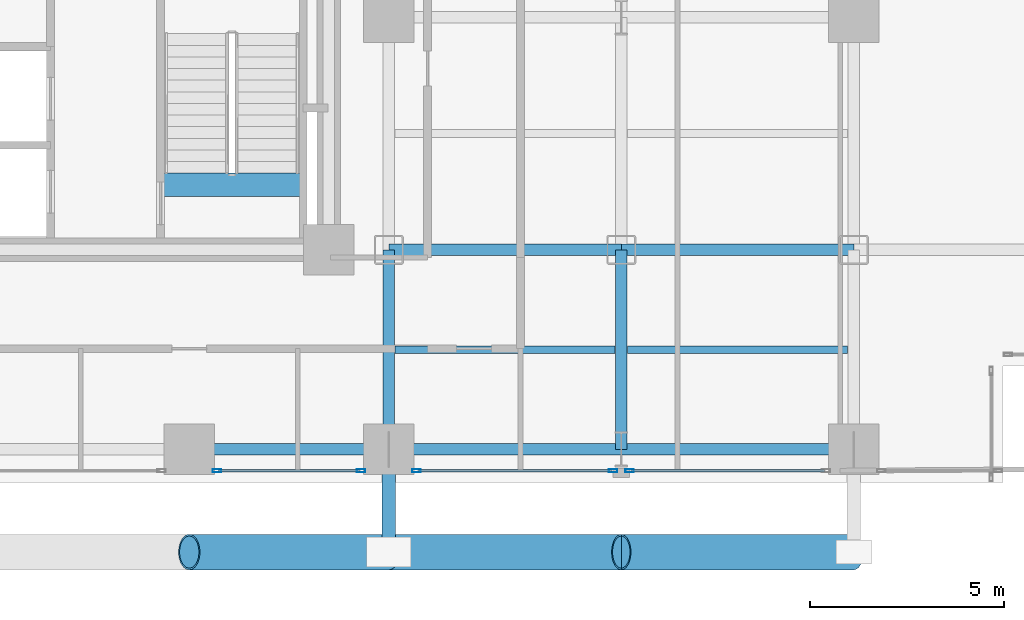
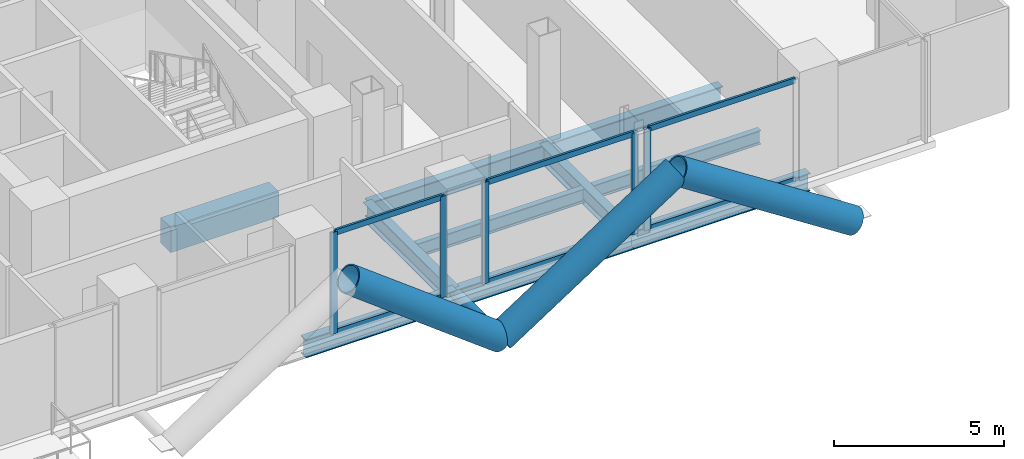
# One storey, part 8 of 25: 15 members, 10 beams, 3 elements without a shape of their own.
"""IFC4 building model written with IfcOpenShell, lengths in metres."""

import ifcopenshell
import ifcopenshell.guid

model = None  # the IFC model being written
_history = None  # IfcOwnerHistory: only IFC2X3 demands one
_inside = {}  # id of a spatial element -> (the spatial element, [elements in it])
_under = {}  # id of a project, library or spatial element -> (it, [spatial elements below it])
_declared = {}  # id of a project -> (the project, [libraries it declares])
_typed = {}  # id of a type object -> (the type object, [elements of that type])
_made_of = {}  # id of a material, layer set ... -> (it, [elements and type objects made of it])


def new_model(schema):
    """Start an empty IFC model of exactly this schema.

    Asked for "IFC4X3", IfcOpenShell would pick the latest addendum, in which some entities
    have other attributes; the version numbers below select the first issue.
    IFC2X3 requires an IfcOwnerHistory on every rooted entity: one is made here for all.
    """
    global model, _history
    if schema == "IFC4X3":
        model = ifcopenshell.file(schema_version=(4, 3, 0, 0))
    else:
        model = ifcopenshell.file(schema=schema)
    _inside.clear()
    _under.clear()
    _declared.clear()
    _typed.clear()
    _made_of.clear()
    _history = None
    if model.schema == "IFC2X3":
        org = make("IfcOrganization", Name="unknown")
        user = make(
            "IfcPersonAndOrganization",
            ThePerson=make("IfcPerson", FamilyName="unknown"),
            TheOrganization=org,
        )
        app = make(
            "IfcApplication",
            ApplicationDeveloper=org,
            Version="unknown",
            ApplicationFullName="unknown",
            ApplicationIdentifier="unknown",
        )
        _history = make(
            "IfcOwnerHistory",
            OwningUser=user,
            OwningApplication=app,
            ChangeAction="ADDED",
            CreationDate=0,
        )
    return model


def make(cls, **values):
    """One entity of the class cls with the attributes given. An attribute that is None is left unset."""
    return model.create_entity(
        cls, **{name: value for name, value in values.items() if value is not None}
    )


def rooted(cls, **values):
    """An entity with a GlobalId (a new one), such as an element, a storey or a relation."""
    return make(cls, GlobalId=ifcopenshell.guid.new(), OwnerHistory=_history, **values)


def si_unit(unit_type, name, prefix=None):
    """IfcSIUnit, for example si_unit("LENGTHUNIT", "METRE", prefix="MILLI")."""
    return make("IfcSIUnit", UnitType=unit_type, Prefix=prefix, Name=name)


def assignment(units):
    """IfcUnitAssignment: the units of a project."""
    return None if units is None else make("IfcUnitAssignment", Units=units)


def point(xyz):
    """IfcCartesianPoint."""
    return None if xyz is None else make("IfcCartesianPoint", Coordinates=xyz)


def direction(xyz):
    """IfcDirection."""
    return None if xyz is None else make("IfcDirection", DirectionRatios=xyz)


def frame(location, z_axis=None, x_axis=None):
    """IfcAxis2Placement3D, a coordinate frame: its origin and axes. An axis left out is left unset."""
    return make(
        "IfcAxis2Placement3D",
        Location=point(location),
        Axis=direction(z_axis),
        RefDirection=direction(x_axis),
    )


def frame_2d(location, x_axis=None):
    """IfcAxis2Placement2D, a coordinate frame in the plane: its origin and x axis."""
    return make(
        "IfcAxis2Placement2D", Location=point(location), RefDirection=direction(x_axis)
    )


def origin():
    """The frame at (0, 0, 0) with its axes left unset."""
    return frame((0.0, 0.0, 0.0))


def origin_2d():
    """The frame at (0, 0) in the plane with its x axis left unset."""
    return frame_2d((0.0, 0.0))


def place(relative_to, where):
    """IfcLocalPlacement: puts the frame where relative to a parent placement (None: the world)."""
    return make(
        "IfcLocalPlacement", PlacementRelTo=relative_to, RelativePlacement=where
    )


def context(
    kind, dimensions, precision=None, world=None, true_north=None, identifier=None
):
    """IfcGeometricRepresentationContext, for example the 3D "Model" context."""
    return make(
        "IfcGeometricRepresentationContext",
        ContextIdentifier=identifier,
        ContextType=kind,
        CoordinateSpaceDimension=dimensions,
        Precision=precision,
        WorldCoordinateSystem=world,
        TrueNorth=true_north,
    )


def subcontext(parent, identifier, kind, view, scale=None):
    """IfcGeometricRepresentationSubContext, for example "Body" below "Model"."""
    return make(
        "IfcGeometricRepresentationSubContext",
        ContextIdentifier=identifier,
        ContextType=kind,
        ParentContext=parent,
        TargetScale=scale,
        TargetView=view,
    )


def project(units=None, contexts=None):
    """IfcProject with its units and contexts."""
    return rooted(
        "IfcProject",
        Name="project",
        RepresentationContexts=contexts,
        UnitsInContext=assignment(units),
    )


def spatial(cls, under=None, at=None, **own):
    """A site, building, storey or space (cls), placed at a placement, below another one or the project."""
    s = rooted(cls, ObjectPlacement=at, **own)
    if under is not None:
        _under.setdefault(under.id(), (under, []))[1].append(s)
    return s


def profile(cls, at=None, kind="AREA", **sizes):
    """A parametric profile (cls). Its sizes go by their IFC names, for example OverallWidth=200.0."""
    return make(cls, ProfileType=kind, Position=at, **sizes)


def rectangle(**sizes):
    """IfcRectangleProfileDef."""
    return profile("IfcRectangleProfileDef", **sizes)


def hollow_rectangle(**sizes):
    """IfcRectangleHollowProfileDef."""
    return profile("IfcRectangleHollowProfileDef", **sizes)


def hollow_circle(**sizes):
    """IfcCircleHollowProfileDef."""
    return profile("IfcCircleHollowProfileDef", **sizes)


def i_section(**sizes):
    """IfcIShapeProfileDef."""
    return profile("IfcIShapeProfileDef", **sizes)


def extrude(swept, where, along, depth):
    """IfcExtrudedAreaSolid: the profile swept, set in the frame where, extruded along a direction by depth."""
    return make(
        "IfcExtrudedAreaSolid",
        SweptArea=swept,
        Position=where,
        ExtrudedDirection=direction(along),
        Depth=depth,
    )


def shape(context_of_items, identifier, shape_type, items):
    """IfcShapeRepresentation: the items that make up one representation, for example the "Body"."""
    return make(
        "IfcShapeRepresentation",
        ContextOfItems=context_of_items,
        RepresentationIdentifier=identifier,
        RepresentationType=shape_type,
        Items=items,
    )


def material(Name=None, Category=None):
    """IfcMaterial."""
    return make("IfcMaterial", Name=Name, Category=Category)


def layer(
    of_material, thickness, ventilated=None, Name=None, Category=None, Priority=None
):
    """IfcMaterialLayer: one layer of a wall or slab, of a material (None: an air gap)."""
    return make(
        "IfcMaterialLayer",
        Material=of_material,
        LayerThickness=thickness,
        IsVentilated=ventilated,
        Name=Name,
        Category=Category,
        Priority=Priority,
    )


def layer_set(layers, Name=None):
    """IfcMaterialLayerSet."""
    return make("IfcMaterialLayerSet", MaterialLayers=layers, LayerSetName=Name)


def material_profile(
    of_material, cross_section, Name=None, Category=None, Priority=None
):
    """IfcMaterialProfile: a cross section and its material."""
    return make(
        "IfcMaterialProfile",
        Name=Name,
        Material=of_material,
        Profile=cross_section,
        Priority=Priority,
        Category=Category,
    )


def profile_set(profiles, Name=None, composite=None):
    """IfcMaterialProfileSet."""
    return make(
        "IfcMaterialProfileSet",
        Name=Name,
        MaterialProfiles=profiles,
        CompositeProfile=composite,
    )


def made_of(thing, what):
    """Note that an element or type object is made of a material, layer set ...; save() writes the relation."""
    if what is not None:
        _made_of.setdefault(what.id(), (what, []))[1].append(thing)
    return thing


def type_object(cls, material=None, **own):
    """A type object (cls), such as IfcWallType, which elements share."""
    return made_of(rooted(cls, **own), material)


def element(
    cls,
    number,
    at=None,
    inside=None,
    cuts=None,
    type_object=None,
    material=None,
    context=None,
    identifier="Body",
    shape_type=None,
    held_by="IfcProductDefinitionShape",
    body=None,
    shapes=None,
    **own,
):
    """One element of the class cls, such as IfcWall. Its Tag is "e" and its number.

    at: its placement. inside: the storey or other place that contains it. cuts: it is an
    opening in that element (IfcRelVoidsElement). A single representation is given by context,
    identifier, shape_type and body (its items); several are given by shapes. held_by: the class
    of the entity that holds the representations. save() writes the other relations.
    """
    e = rooted(cls, Tag="e%d" % number, ObjectPlacement=at, **own)
    if body is not None:
        shapes = [shape(context, identifier, shape_type, body)]
    if shapes is not None:
        e.Representation = make(held_by, Representations=shapes)
    if inside is not None:
        _inside.setdefault(inside.id(), (inside, []))[1].append(e)
    if cuts is not None:
        rooted(
            "IfcRelVoidsElement", RelatingBuildingElement=cuts, RelatedOpeningElement=e
        )
    if type_object is not None:
        _typed.setdefault(type_object.id(), (type_object, []))[1].append(e)
    return made_of(e, material)


def aggregate(whole, parts):
    """IfcRelAggregates: a whole, such as a stair, and the parts it consists of."""
    return rooted("IfcRelAggregates", RelatingObject=whole, RelatedObjects=parts)


def save(model, path):
    """Write the relations noted so far, then the file.

    IfcRelAggregates (storeys below a building ...), IfcRelContainedInSpatialStructure (elements
    in a storey), IfcRelDefinesByType, IfcRelAssociatesMaterial and IfcRelDeclares: one each for
    every whole, place, type object, material and project.
    """
    for whole, parts in _under.values():
        aggregate(whole, parts)
    for where, things in _inside.values():
        rooted(
            "IfcRelContainedInSpatialStructure",
            RelatedElements=things,
            RelatingStructure=where,
        )
    for kind, things in _typed.values():
        rooted("IfcRelDefinesByType", RelatedObjects=things, RelatingType=kind)
    for what, things in _made_of.values():
        rooted("IfcRelAssociatesMaterial", RelatedObjects=things, RelatingMaterial=what)
    for by, libraries in _declared.values():
        rooted("IfcRelDeclares", RelatingContext=by, RelatedDefinitions=libraries)
    model.write(path)


model = new_model("IFC4")

# Units and contexts
model_context = context("Model", 3, precision=1e-05, world=origin(), true_north=direction((0.0, 1.0)))
body_context = subcontext(model_context, "Body", "Model", "MODEL_VIEW")
ifc_project = project(units=[si_unit("LENGTHUNIT", "METRE"), si_unit("AREAUNIT", "SQUARE_METRE"), si_unit("VOLUMEUNIT", "CUBIC_METRE"), si_unit("PLANEANGLEUNIT", "RADIAN"), si_unit("MASSUNIT", "GRAM", prefix="KILO"), si_unit("THERMODYNAMICTEMPERATUREUNIT", "KELVIN"), si_unit("POWERUNIT", "WATT")], contexts=[model_context])

# Site, building, storey
site_placement = place(None, origin())
site = spatial("IfcSite", under=ifc_project, at=site_placement, CompositionType="ELEMENT")
building_placement = place(site_placement, origin())
building = spatial("IfcBuilding", under=site, at=building_placement, Name="Svarakhadi Broadcast Tower", CompositionType="ELEMENT")
storey_placement = place(building_placement, frame((0.0, 0.0, 51.89990234375)))
storey = spatial("IfcBuildingStorey", under=building, at=storey_placement, Name="L11", CompositionType="ELEMENT", Elevation=51.89990234375)

# Beams
ifc_material_1 = material(Name="Steel S355J2 (IS 2062 E350C)", Category="steel")
ifc_material_profile_1 = material_profile(ifc_material_1, i_section(OverallWidth=0.199951171875, OverallDepth=0.5, WebThickness=0.01025390625, FlangeThickness=0.01611328125, FilletRadius=0.02099609375, at=origin_2d()), Name="NPB 500x200x91")
ifc_profile_set_1 = profile_set([ifc_material_profile_1], Name="Steel S355J2 (IS 2062 E350C)")
beam_type_1 = type_object("IfcBeamType", Name="Beam_NPB500", PredefinedType="BEAM", material=ifc_profile_set_1)
for number, where, z_axis, x_axis, name in (
    (1, (35.31005859375, 3.425048828125, -0.5), (1.0, 0.0, 0.0), (0.0, 1.0, 0.0), "L11 Secondary Composite Beam SB022"),
    (2, (41.31005859375, 3.425048828125, -0.5), (1.0, 0.0, 0.0), (0.0, 1.0, 0.0), "L11 Secondary Composite Beam SB025"),
):
    element("IfcBeam", number, at=place(storey_placement, frame(where, z_axis=z_axis, x_axis=x_axis)), inside=storey, type_object=beam_type_1, Name=name, PredefinedType="BEAM", context=body_context, shape_type="SweptSolid", body=[
        extrude(i_section(OverallWidth=0.199951171875, OverallDepth=0.5, WebThickness=0.01025390625, FlangeThickness=0.01611328125, FilletRadius=0.02099609375, at=origin_2d()), origin(), (0.0, 0.0, 1.0), 5.679931640625),
    ])

# Curtain wall, member
ifc_material_2 = material(Name="Anodised Bronze Aluminium AA 6063-T6", Category="aluminium")
ifc_layer = layer(ifc_material_2, 0.219970703125)
ifc_layer_set = layer_set([ifc_layer], Name="Anodised Bronze Aluminium AA 6063-T6")
curtain_wall_type = type_object("IfcCurtainWallType", Name="CW_Sys_02", PredefinedType="NOTDEFINED", material=ifc_layer_set)
curtain_wall_1_placement = place(storey_placement, origin())
curtain_wall_1 = element("IfcCurtainWall", 3, at=curtain_wall_1_placement, inside=storey, type_object=curtain_wall_type, Name="L11 South Curtain Wall 16 Bay 2", PredefinedType="NOTDEFINED")
ifc_material_profile_2 = material_profile(ifc_material_2, hollow_rectangle(XDim=0.0849609375, YDim=0.219970703125, WallThickness=0.006103515625, at=origin_2d()), Name="ALU MULLION 220x85x6")
ifc_profile_set_2 = profile_set([ifc_material_profile_2], Name="Anodised Bronze Aluminium AA 6063-T6")
member_type_1 = type_object("IfcMemberType", Name="CW_Sys_02_Mul", PredefinedType="MULLION", material=ifc_profile_set_2)
member_1_placement = place(storey_placement, frame((41.362548828125, 0.300048828125, 0.0), z_axis=(0.0, 0.0, 1.0), x_axis=(0.0, -1.0, 0.0)))
member_1 = element("IfcMember", 4, at=member_1_placement, type_object=member_type_1, Name="CW-02 mullion 2", PredefinedType="MULLION", context=body_context, shape_type="SweptSolid", body=[
    extrude(hollow_rectangle(XDim=0.0849609375, YDim=0.219970703125, WallThickness=0.006103515625, at=origin_2d()), origin(), (0.0, 0.0, 1.0), 3.650146484375),
])

# Curtain wall, members
curtain_wall_2_placement = place(storey_placement, origin())
curtain_wall_2 = element("IfcCurtainWall", 5, at=curtain_wall_2_placement, inside=storey, type_object=curtain_wall_type, Name="L11 South Curtain Wall 16 Bay 3", PredefinedType="NOTDEFINED")
member_2_placement = place(storey_placement, frame((40.9375, 0.300048828125, 0.0), z_axis=(0.0, 0.0, 1.0), x_axis=(0.0, -1.0, 0.0)))
member_2 = element("IfcMember", 6, at=member_2_placement, type_object=member_type_1, Name="CW-02 mullion 1", PredefinedType="MULLION", context=body_context, shape_type="SweptSolid", body=[
    extrude(hollow_rectangle(XDim=0.0849609375, YDim=0.219970703125, WallThickness=0.006103515625, at=origin_2d()), origin(), (0.0, 0.0, 1.0), 3.650146484375),
])
member_3_placement = place(storey_placement, frame((35.862548828125, 0.300048828125, 0.0), z_axis=(0.0, 0.0, 1.0), x_axis=(0.0, -1.0, 0.0)))
member_3 = element("IfcMember", 7, at=member_3_placement, type_object=member_type_1, Name="CW-02 mullion 2", PredefinedType="MULLION", context=body_context, shape_type="SweptSolid", body=[
    extrude(hollow_rectangle(XDim=0.0849609375, YDim=0.219970703125, WallThickness=0.006103515625, at=origin_2d()), origin(), (0.0, 0.0, 1.0), 3.650146484375),
])

curtain_wall_3_placement = place(storey_placement, origin())
curtain_wall_3 = element("IfcCurtainWall", 8, at=curtain_wall_3_placement, inside=storey, type_object=curtain_wall_type, Name="L11 South Curtain Wall 16 Bay 4", PredefinedType="NOTDEFINED")
member_4_placement = place(storey_placement, frame((34.4375, 0.300048828125, 0.0), z_axis=(0.0, 0.0, 1.0), x_axis=(0.0, -1.0, 0.0)))
member_4 = element("IfcMember", 9, at=member_4_placement, type_object=member_type_1, Name="CW-02 mullion 1", PredefinedType="MULLION", context=body_context, shape_type="SweptSolid", body=[
    extrude(hollow_rectangle(XDim=0.0849609375, YDim=0.219970703125, WallThickness=0.006103515625, at=origin_2d()), origin(), (0.0, 0.0, 1.0), 3.650146484375),
])
member_5_placement = place(storey_placement, frame((30.71240234375, 0.300048828125, 0.0), z_axis=(0.0, 0.0, 1.0), x_axis=(0.0, -1.0, 0.0)))
member_5 = element("IfcMember", 10, at=member_5_placement, type_object=member_type_1, Name="CW-02 mullion 2", PredefinedType="MULLION", context=body_context, shape_type="SweptSolid", body=[
    extrude(hollow_rectangle(XDim=0.0849609375, YDim=0.219970703125, WallThickness=0.006103515625, at=origin_2d()), origin(), (0.0, 0.0, 1.0), 3.650146484375),
])

# Member
ifc_material_profile_3 = material_profile(ifc_material_2, hollow_rectangle(XDim=0.074951171875, YDim=0.199951171875, WallThickness=0.0048828125, at=origin_2d()), Name="ALU TRANSOM 200x75x5")
ifc_profile_set_3 = profile_set([ifc_material_profile_3], Name="Anodised Bronze Aluminium AA 6063-T6")
member_type_2 = type_object("IfcMemberType", Name="CW_Sys_02_Trn", PredefinedType="USERDEFINED", material=ifc_profile_set_3)
member_6_placement = place(storey_placement, frame((46.39501953125, 0.300048828125, 0.03759765625), z_axis=(-1.0, 0.0, 0.0), x_axis=(0.0, -1.0, 0.0)))
member_6 = element("IfcMember", 11, at=member_6_placement, type_object=member_type_2, Name="CW-02 transom 1.1", ObjectType="TRANSOM", PredefinedType="USERDEFINED", context=body_context, shape_type="SweptSolid", body=[
    extrude(hollow_rectangle(XDim=0.074951171875, YDim=0.199951171875, WallThickness=0.0048828125, at=origin_2d()), origin(), (0.0, 0.0, 1.0), 4.989990234375),
])

member_7_placement = place(storey_placement, frame((46.39501953125, 0.300048828125, 3.612548828125), z_axis=(-1.0, 0.0, 0.0), x_axis=(0.0, -1.0, 0.0)))
member_7 = element("IfcMember", 12, at=member_7_placement, type_object=member_type_2, Name="CW-02 transom 1.2", ObjectType="TRANSOM", PredefinedType="USERDEFINED", context=body_context, shape_type="SweptSolid", body=[
    extrude(hollow_rectangle(XDim=0.074951171875, YDim=0.199951171875, WallThickness=0.0048828125, at=origin_2d()), origin(), (0.0, 0.0, 1.0), 4.989990234375),
])

aggregate(curtain_wall_1, [member_1, member_6, member_7])

member_8_placement = place(storey_placement, frame((40.89501953125, 0.300048828125, 0.03759765625), z_axis=(-1.0, 0.0, 0.0), x_axis=(0.0, -1.0, 0.0)))
member_8 = element("IfcMember", 13, at=member_8_placement, type_object=member_type_2, Name="CW-02 transom 1.1", ObjectType="TRANSOM", PredefinedType="USERDEFINED", context=body_context, shape_type="SweptSolid", body=[
    extrude(hollow_rectangle(XDim=0.074951171875, YDim=0.199951171875, WallThickness=0.0048828125, at=origin_2d()), origin(), (0.0, 0.0, 1.0), 4.989990234375),
])

member_9_placement = place(storey_placement, frame((40.89501953125, 0.300048828125, 3.612548828125), z_axis=(-1.0, 0.0, 0.0), x_axis=(0.0, -1.0, 0.0)))
member_9 = element("IfcMember", 14, at=member_9_placement, type_object=member_type_2, Name="CW-02 transom 1.2", ObjectType="TRANSOM", PredefinedType="USERDEFINED", context=body_context, shape_type="SweptSolid", body=[
    extrude(hollow_rectangle(XDim=0.074951171875, YDim=0.199951171875, WallThickness=0.0048828125, at=origin_2d()), origin(), (0.0, 0.0, 1.0), 4.989990234375),
])

aggregate(curtain_wall_2, [member_2, member_3, member_8, member_9])

member_10_placement = place(storey_placement, frame((34.39501953125, 0.300048828125, 0.03759765625), z_axis=(-1.0, 0.0, 0.0), x_axis=(0.0, -1.0, 0.0)))
member_10 = element("IfcMember", 15, at=member_10_placement, type_object=member_type_2, Name="CW-02 transom 1.1", ObjectType="TRANSOM", PredefinedType="USERDEFINED", context=body_context, shape_type="SweptSolid", body=[
    extrude(hollow_rectangle(XDim=0.074951171875, YDim=0.199951171875, WallThickness=0.0048828125, at=origin_2d()), origin(), (0.0, 0.0, 1.0), 3.64013671875),
])

member_11_placement = place(storey_placement, frame((34.39501953125, 0.300048828125, 3.612548828125), z_axis=(-1.0, 0.0, 0.0), x_axis=(0.0, -1.0, 0.0)))
member_11 = element("IfcMember", 16, at=member_11_placement, type_object=member_type_2, Name="CW-02 transom 1.2", ObjectType="TRANSOM", PredefinedType="USERDEFINED", context=body_context, shape_type="SweptSolid", body=[
    extrude(hollow_rectangle(XDim=0.074951171875, YDim=0.199951171875, WallThickness=0.0048828125, at=origin_2d()), origin(), (0.0, 0.0, 1.0), 3.64013671875),
])

aggregate(curtain_wall_3, [member_4, member_5, member_10, member_11])

# Beam
ifc_material_3 = material(Name="Concrete C50/60 (IS 456 M60)", Category="concrete")
ifc_material_profile_4 = material_profile(ifc_material_3, rectangle(XDim=0.60009765625, YDim=0.89990234375, at=origin_2d()), Name="RC 600x900")
ifc_profile_set_4 = profile_set([ifc_material_profile_4], Name="Concrete C50/60 (IS 456 M60)")
beam_type_2 = type_object("IfcBeamType", Name="Coupling_RC600", PredefinedType="USERDEFINED", material=ifc_profile_set_4)
beam_1_placement = place(storey_placement, frame((29.260009765625, 7.679931640625, -0.449951171875), z_axis=(1.0, 0.0, 0.0), x_axis=(0.0, 1.0, 0.0)))
element("IfcBeam", 17, at=beam_1_placement, inside=storey, type_object=beam_type_2, Name="L11 Stair ST-02 Landing Throat Trimmer Beam CB-01", ObjectType="GIRDER", PredefinedType="USERDEFINED", context=body_context, shape_type="SweptSolid", body=[
    extrude(rectangle(XDim=0.60009765625, YDim=0.89990234375, at=origin_2d()), origin(), (0.0, 0.0, 1.0), 3.679931640625),
])

# Members
ifc_material_4 = material(Name="Steel S460ML (IS 2062 E450BR)", Category="steel")
ifc_material_profile_5 = material_profile(ifc_material_4, hollow_circle(Radius=0.45703125, WallThickness=0.044921875, at=origin_2d()), Name="CHS 914x45")
ifc_profile_set_5 = profile_set([ifc_material_profile_5], Name="Steel S460ML (IS 2062 E450BR)")
member_type_3 = type_object("IfcMemberType", Name="Exo_Brace_CHS914", PredefinedType="BRACE", material=ifc_profile_set_5)
member_12_placement = place(storey_placement, frame((35.14990234375, -1.800048828125, -0.427734375), z_axis=(-0.797188602897, 0.0, 0.603730346605), x_axis=(0.0, -1.0, 0.0)))
element("IfcMember", 18, at=member_12_placement, inside=storey, type_object=member_type_3, Name="L11 Exposed Bronze Exoskeleton Diagonal S02", PredefinedType="BRACE", context=body_context, shape_type="SweptSolid", body=[
    extrude(hollow_circle(Radius=0.45703125, WallThickness=0.044921875, at=origin_2d()), origin(), (0.0, 0.0, 1.0), 6.4599609375),
])
for number, where, z_axis, x_axis, name in (
    (19, (35.14990234375, -1.800048828125, -0.427734375), (0.838434262763, 0.0, 0.545002740383), (0.0, 1.0, 0.0), "L11 Exposed Bronze Exoskeleton Diagonal S03"),
    (20, (47.14990234375, -1.800048828125, -0.427734375), (-0.838434262763, 0.0, 0.545002740383), (0.0, -1.0, 0.0), "L11 Exposed Bronze Exoskeleton Diagonal S04"),
):
    element("IfcMember", number, at=place(storey_placement, frame(where, z_axis=z_axis, x_axis=x_axis)), inside=storey, type_object=member_type_3, Name=name, PredefinedType="BRACE", context=body_context, shape_type="SweptSolid", body=[
        extrude(hollow_circle(Radius=0.45703125, WallThickness=0.044921875, at=origin_2d()), origin(), (0.0, 0.0, 1.0), 7.15625),
    ])
ifc_material_profile_6 = material_profile(ifc_material_4, hollow_circle(Radius=0.177734375, WallThickness=0.02001953125, at=origin_2d()), Name="CHS 355.6x20")
ifc_profile_set_6 = profile_set([ifc_material_profile_6], Name="Steel S460ML (IS 2062 E450BR)")
member_type_4 = type_object("IfcMemberType", Name="Exo_Radial_Strut_Z1", PredefinedType="STRUT", material=ifc_profile_set_6)
member_13_placement = place(storey_placement, frame((35.14990234375, -1.800048828125, -0.427734375), z_axis=(0.0, 1.0, 0.0), x_axis=(-1.0, 0.0, 0.0)))
element("IfcMember", 21, at=member_13_placement, inside=storey, type_object=member_type_4, Name="L11 Exoskeleton Radial Tie Strut S02", PredefinedType="STRUT", context=body_context, shape_type="SweptSolid", body=[
    extrude(hollow_circle(Radius=0.177734375, WallThickness=0.02001953125, at=origin_2d()), origin(), (0.0, 0.0, 1.0), 2.650146484375),
])

# Beams
ifc_material_profile_7 = material_profile(ifc_material_1, i_section(OverallWidth=0.300048828125, OverallDepth=0.64990234375, WebThickness=0.01611328125, FlangeThickness=0.031005859375, FilletRadius=0.027099609375, at=origin_2d()), Name="WPB 650x300x225")
ifc_profile_set_7 = profile_set([ifc_material_profile_7], Name="Steel S355J2 (IS 2062 E350C)")
beam_type_3 = type_object("IfcBeamType", Name="Girder_WPB650", PredefinedType="USERDEFINED", material=ifc_profile_set_7)
beam_2_placement = place(storey_placement, frame((30.0, 0.85009765625, -0.574951171875), z_axis=(1.0, 0.0, 0.0), x_axis=(0.0, 1.0, 0.0)))
element("IfcBeam", 22, at=beam_2_placement, inside=storey, type_object=beam_type_3, Name="L11 Primary E-W Girder G008", ObjectType="GIRDER", PredefinedType="USERDEFINED", context=body_context, shape_type="SweptSolid", body=[
    extrude(i_section(OverallWidth=0.300048828125, OverallDepth=0.64990234375, WebThickness=0.01611328125, FlangeThickness=0.031005859375, FilletRadius=0.027099609375, at=origin_2d()), origin(), (0.0, 0.0, 1.0), 5.14990234375),
])
for number, where, z_axis, x_axis, name in (
    (23, (35.14990234375, 0.85009765625, -0.574951171875), (1.0, 0.0, 0.0), (0.0, 1.0, 0.0), "L11 Primary E-W Girder G009"),
    (24, (41.14990234375, 0.85009765625, -0.574951171875), (1.0, 0.0, 0.0), (0.0, 1.0, 0.0), "L11 Primary E-W Girder G010"),
    (25, (35.14990234375, 6.0, -0.574951171875), (1.0, 0.0, 0.0), (0.0, 1.0, 0.0), "L11 Primary E-W Girder G016"),
    (26, (41.14990234375, 6.0, -0.574951171875), (1.0, 0.0, 0.0), (0.0, 1.0, 0.0), "L11 Primary E-W Girder G017"),
):
    element("IfcBeam", number, at=place(storey_placement, frame(where, z_axis=z_axis, x_axis=x_axis)), inside=storey, type_object=beam_type_3, Name=name, ObjectType="GIRDER", PredefinedType="USERDEFINED", context=body_context, shape_type="SweptSolid", body=[
        extrude(i_section(OverallWidth=0.300048828125, OverallDepth=0.64990234375, WebThickness=0.01611328125, FlangeThickness=0.031005859375, FilletRadius=0.027099609375, at=origin_2d()), origin(), (0.0, 0.0, 1.0), 6.0),
    ])
for number, where, z_axis, x_axis, name in (
    (27, (35.14990234375, 0.85009765625, -0.574951171875), (0.0, 1.0, 0.0), (-1.0, 0.0, 0.0), "L11 Primary N-S Girder G076"),
    (28, (41.14990234375, 0.85009765625, -0.574951171875), (0.0, 1.0, 0.0), (-1.0, 0.0, 0.0), "L11 Primary N-S Girder G079"),
):
    element("IfcBeam", number, at=place(storey_placement, frame(where, z_axis=z_axis, x_axis=x_axis)), inside=storey, type_object=beam_type_3, Name=name, ObjectType="GIRDER", PredefinedType="USERDEFINED", context=body_context, shape_type="SweptSolid", body=[
        extrude(i_section(OverallWidth=0.300048828125, OverallDepth=0.64990234375, WebThickness=0.01611328125, FlangeThickness=0.031005859375, FilletRadius=0.027099609375, at=origin_2d()), origin(), (0.0, 0.0, 1.0), 5.14990234375),
    ])

save(model, "model.ifc")
